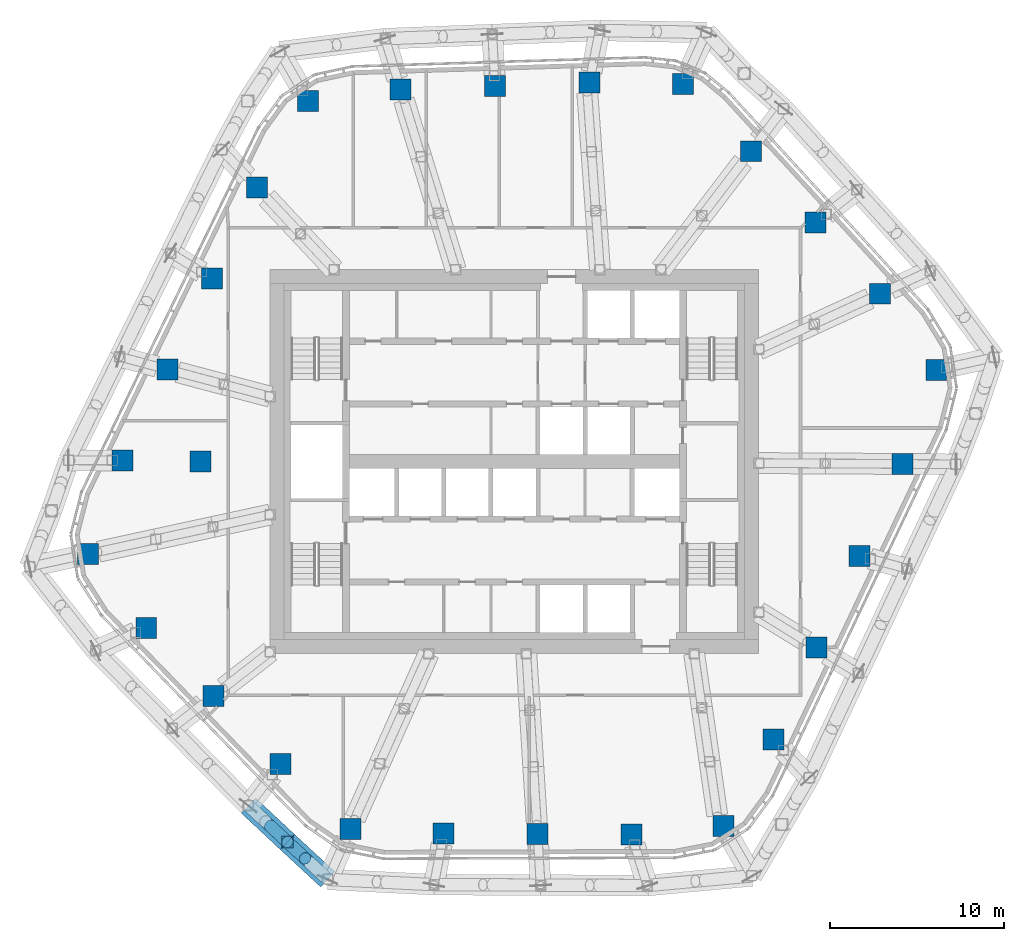
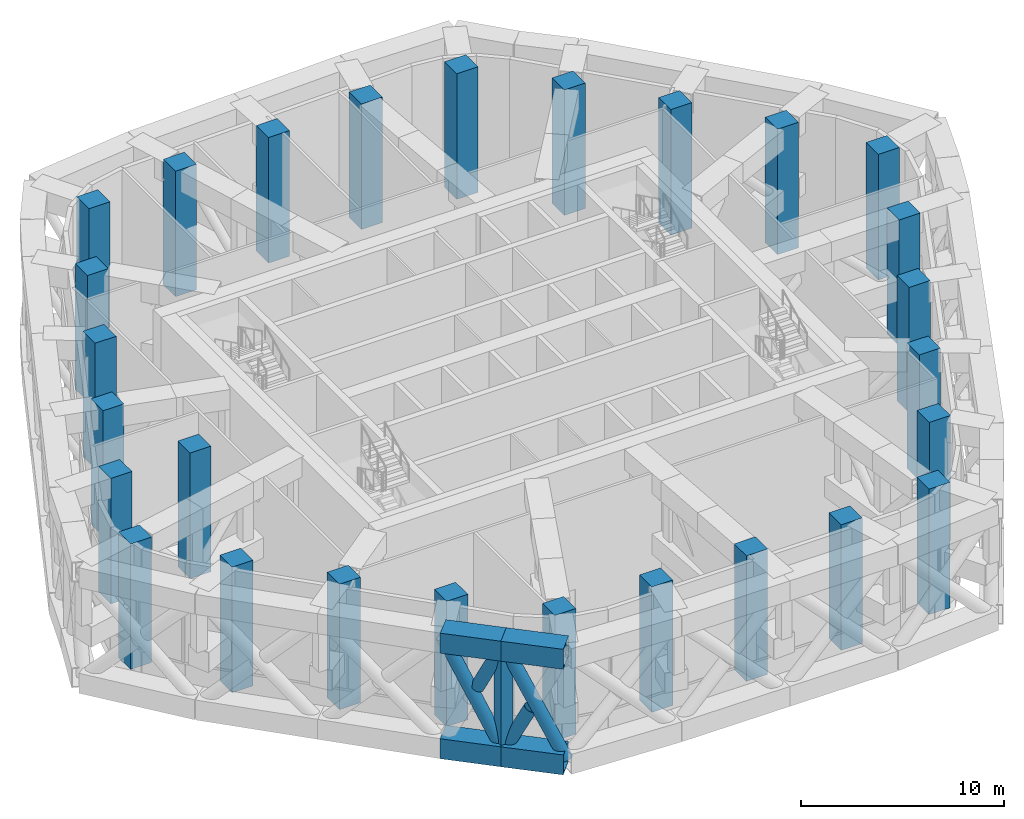
# One storey, part 1 of 21: 27 columns, 9 members.
"""IFC4 building model written with IfcOpenShell, lengths in metres."""

from ifc_helpers import new_model, si_unit, direction, frame, origin, origin_2d, place, context, subcontext, project, spatial, rectangle, hollow_rectangle, hollow_circle, extrude, material, material_profile, profile_set, type_object, element, save


model = new_model("IFC4")

# Units and contexts
model_context = context("Model", 3, precision=1e-05, world=origin(), true_north=direction((0.0, 1.0)))
body_context = subcontext(model_context, "Body", "Model", "MODEL_VIEW")
ifc_project = project(units=[si_unit("LENGTHUNIT", "METRE"), si_unit("AREAUNIT", "SQUARE_METRE"), si_unit("VOLUMEUNIT", "CUBIC_METRE"), si_unit("PLANEANGLEUNIT", "RADIAN"), si_unit("MASSUNIT", "GRAM", prefix="KILO")], contexts=[model_context])

# Site, building, storey
site_placement = place(None, origin())
site = spatial("IfcSite", under=ifc_project, at=site_placement, CompositionType="ELEMENT")
building_placement = place(site_placement, origin())
building = spatial("IfcBuilding", under=site, at=building_placement, Name="Dongbaek Canopy Tower", CompositionType="ELEMENT")
storey_placement = place(building_placement, frame((0.0, 0.0, 220.60009765625)))
storey = spatial("IfcBuildingStorey", under=building, at=storey_placement, Name="L46", CompositionType="ELEMENT", Elevation=220.60009765625)

# Columns
ifc_material_1 = material(Name="Concrete C70", Category="concrete")
ifc_material_profile_1 = material_profile(ifc_material_1, rectangle(XDim=1.199951171875, YDim=1.199951171875, at=origin_2d()), Name="RC COLUMN 1200x1200 C70")
ifc_profile_set_1 = profile_set([ifc_material_profile_1], Name="Concrete C70")
column_type = type_object("IfcColumnType", Name="RC COLUMN 1200x1200 C70", PredefinedType="COLUMN", material=ifc_profile_set_1)
for number, where, z_axis, x_axis, name in (
    (1, (11.971923828125, -20.885009765625, 0.0), (0.0, 0.0, 1.0), (1.0, 0.0, 0.0), "COL:CZ3-01:L46"),
    (2, (6.697998046875, -21.3720703125, 0.0), (0.0, 0.0, 1.0), (1.0, 0.0, 0.0), "COL:CZ3-02:L46"),
    (3, (1.321044921875, -21.347900390625, 0.0), (0.0, 0.0, 1.0), (1.0, 0.0, 0.0), "COL:CZ3-03:L46"),
    (4, (-4.054931640625, -21.323974609375, 0.0), (0.0, 0.0, 1.0), (1.0, 0.0, 0.0), "COL:CZ3-04:L46"),
    (5, (-9.407958984375, -21.06103515625, 0.0), (0.0, 0.0, 1.0), (1.0, 0.0, 0.0), "COL:CZ3-05:L46"),
    (6, (-13.409912109375, -17.339111328125, 0.0), (0.0, 0.0, 1.0), (1.0, 0.0, 0.0), "COL:CZ3-06:L46"),
    (7, (-17.258056640625, -13.431884765625, 0.0), (0.0, 0.0, 1.0), (1.0, 0.0, 0.0), "COL:CZ3-07:L46"),
    (8, (-21.10595703125, -9.52490234375, 0.0), (0.0, 0.0, 1.0), (1.0, 0.0, 0.0), "COL:CZ3-08:L46"),
    (9, (-24.43505859375, -5.2939453125, 0.0), (0.0, 0.0, 1.0), (1.0, 0.0, 0.0), "COL:CZ3-09:L46"),
    (10, (-22.4619140625, 0.06689453125, 0.0), (0.0, 0.0, 1.0), (1.0, 0.0, 0.0), "COL:CZ3-10:L46"),
    (11, (-19.89599609375, 5.287109375, 0.0), (0.0, 0.0, 1.0), (1.0, 0.0, 0.0), "COL:CZ3-11:L46"),
    (12, (-17.327880859375, 10.5048828125, 0.0), (0.0, 0.0, 1.0), (1.0, 0.0, 0.0), "COL:CZ3-12:L46"),
    (13, (-14.761962890625, 15.72412109375, 0.0), (0.0, 0.0, 1.0), (1.0, 0.0, 0.0), "COL:CZ3-13:L46"),
    (14, (-11.822998046875, 20.660888671875, 0.0), (0.0, 0.0, 1.0), (1.0, 0.0, 0.0), "COL:CZ3-14:L46"),
    (15, (-6.52197265625, 21.322998046875, 0.0), (0.0, 0.0, 1.0), (1.0, 0.0, 0.0), "COL:CZ3-15:L46"),
    (16, (-1.113037109375, 21.530029296875, 0.0), (0.0, 0.0, 1.0), (1.0, 0.0, 0.0), "COL:CZ3-16:L46"),
    (17, (4.294921875, 21.736083984375, 0.0), (0.0, 0.0, 1.0), (1.0, 0.0, 0.0), "COL:CZ3-17:L46"),
    (18, (9.666015625, 21.635009765625, 0.0), (0.0, 0.0, 1.0), (1.0, 0.0, 0.0), "COL:CZ3-18:L46"),
    (19, (13.56005859375, 17.7919921875, 0.0), (0.0, 0.0, 1.0), (1.0, 0.0, 0.0), "COL:CZ3-19:L46"),
    (20, (17.260986328125, 13.7060546875, 0.0), (0.0, 0.0, 1.0), (1.0, 0.0, 0.0), "COL:CZ3-20:L46"),
    (21, (20.9599609375, 9.62109375, 0.0), (0.0, 0.0, 1.0), (1.0, 0.0, 0.0), "COL:CZ3-21:L46"),
    (22, (24.179931640625, 5.257080078125, 0.0), (0.0, 0.0, 1.0), (1.0, 0.0, 0.0), "COL:CZ3-22:L46"),
    (23, (22.25390625, -0.134033203125, 0.0), (0.0, 0.0, 1.0), (1.0, 0.0, 0.0), "COL:CZ3-23:L46"),
    (24, (19.7880859375, -5.39892578125, 0.0), (0.0, 0.0, 1.0), (1.0, 0.0, 0.0), "COL:CZ3-24:L46"),
    (25, (17.322021484375, -10.666015625, 0.0), (0.0, 0.0, 1.0), (1.0, 0.0, 0.0), "COL:CZ3-25:L46"),
    (26, (14.85498046875, -15.931884765625, 0.0), (0.0, 0.0, 1.0), (1.0, 0.0, 0.0), "COL:CZ3-26:L46"),
    (27, (-18.0, 0.0, 0.0), (0.0, 0.0, 1.0), (1.0, 0.0, 0.0), "COL:CIZ3-01:L46"),
):
    element("IfcColumn", number, at=place(storey_placement, frame(where, z_axis=z_axis, x_axis=x_axis)), inside=storey, type_object=column_type, Name=name, PredefinedType="COLUMN", context=body_context, shape_type="SweptSolid", body=[
        extrude(rectangle(XDim=1.199951171875, YDim=1.199951171875, at=origin_2d()), origin(), (0.0, 0.0, 1.0), 7.5498046875),
    ])

# Members
ifc_material_2 = material(Name="Steel S355", Category="steel")
ifc_material_profile_2 = material_profile(ifc_material_2, hollow_circle(Radius=0.35546875, WallThickness=0.02001953125, at=origin_2d()), Name="BELT BRACE CHS 711.0x20.0 Steel S355")
ifc_profile_set_2 = profile_set([ifc_material_profile_2], Name="Steel S355")
member_type_1 = type_object("IfcMemberType", Name="BELT BRACE CHS 711.0x20.0 Steel S355", PredefinedType="BRACE", material=ifc_profile_set_2)
member_1_placement = place(storey_placement, frame((-10.69677734375, -23.946044921875, 0.599853515625), z_axis=(-0.326535304585, 0.302052904336, 0.895621983787), x_axis=(-0.679051367903, -0.734090757161, 0.0)))
element("IfcMember", 28, at=member_1_placement, inside=storey, type_object=member_type_1, Name="BELT:L46:4:D0:0", PredefinedType="BRACE", context=body_context, shape_type="SweptSolid", body=[
    extrude(hollow_circle(Radius=0.35546875, WallThickness=0.02001953125, at=origin_2d()), origin(), (0.0, 0.0, 1.0), 7.090087890625),
])
member_2_placement = place(storey_placement, frame((-13.011962890625, -21.804443359375, 0.599853515625), z_axis=(0.326558192606, -0.302056480205, 0.895612432701), x_axis=(0.679030051082, 0.734110475152, 0.0)))
element("IfcMember", 29, at=member_2_placement, inside=storey, type_object=member_type_1, Name="BELT:L46:4:D0:1", PredefinedType="BRACE", context=body_context, shape_type="SweptSolid", body=[
    extrude(hollow_circle(Radius=0.35546875, WallThickness=0.02001953125, at=origin_2d()), origin(), (0.0, 0.0, 1.0), 3.098876953125),
])
member_3_placement = place(storey_placement, frame((-13.011962890625, -21.804443359375, 0.599853515625), z_axis=(-0.317048638055, 0.296544727881, 0.900855918265), x_axis=(-0.683096736226, -0.730327905093, 0.0)))
element("IfcMember", 30, at=member_3_placement, inside=storey, type_object=member_type_1, Name="BELT:L46:4:D1:0", PredefinedType="BRACE", context=body_context, shape_type="SweptSolid", body=[
    extrude(hollow_circle(Radius=0.35546875, WallThickness=0.02001953125, at=origin_2d()), origin(), (0.0, 0.0, 1.0), 7.049072265625),
])
member_4_placement = place(storey_placement, frame((-13.011962890625, -21.804443359375, 6.949951171875), z_axis=(-0.317063098892, 0.296545847948, -0.900850460057), x_axis=(-0.683081494383, -0.730342160929, 0.0)))
element("IfcMember", 31, at=member_4_placement, inside=storey, type_object=member_type_1, Name="BELT:L46:4:D1:2", PredefinedType="BRACE", context=body_context, shape_type="SweptSolid", body=[
    extrude(hollow_circle(Radius=0.35546875, WallThickness=0.02001953125, at=origin_2d()), origin(), (0.0, 0.0, 1.0), 3.070068359375),
])
ifc_material_3 = material(Name="Steel S355", Category="steel")
ifc_material_profile_3 = material_profile(ifc_material_3, hollow_rectangle(XDim=1.199951171875, YDim=1.199951171875, WallThickness=0.06005859375, at=origin_2d()), Name="BELT CHORD BOX 1200x1200x60 Steel S355")
ifc_profile_set_3 = profile_set([ifc_material_profile_3], Name="Steel S355")
member_type_2 = type_object("IfcMemberType", Name="BELT CHORD BOX 1200x1200x60 Steel S355", PredefinedType="CHORD", material=ifc_profile_set_3)
for number, where, z_axis, x_axis, name in (
    (32, (-10.69677734375, -23.946044921875, 0.599853515625), (-0.734090757161, 0.679051367903, 0.0), (-0.679051367903, -0.734090757161, 0.0), "BELT:L46:4:CB0"),
    (33, (-10.69677734375, -23.946044921875, 6.949951171875), (-0.734090757161, 0.679051367903, 0.0), (-0.679051367903, -0.734090757161, 0.0), "BELT:L46:4:CT0"),
):
    element("IfcMember", number, at=place(storey_placement, frame(where, z_axis=z_axis, x_axis=x_axis)), inside=storey, type_object=member_type_2, Name=name, PredefinedType="CHORD", context=body_context, shape_type="SweptSolid", body=[
        extrude(hollow_rectangle(XDim=1.199951171875, YDim=1.199951171875, WallThickness=0.06005859375, at=origin_2d()), origin(), (0.0, 0.0, 1.0), 3.15380859375),
    ])
for number, where, z_axis, x_axis, name in (
    (34, (-13.011962890625, -21.804443359375, 0.599853515625), (-0.730327905093, 0.683096736226, 0.0), (-0.683096736226, -0.730327905093, 0.0), "BELT:L46:4:CB1"),
    (35, (-13.011962890625, -21.804443359375, 6.949951171875), (-0.730327905093, 0.683096736226, 0.0), (-0.683096736226, -0.730327905093, 0.0), "BELT:L46:4:CT1"),
):
    element("IfcMember", number, at=place(storey_placement, frame(where, z_axis=z_axis, x_axis=x_axis)), inside=storey, type_object=member_type_2, Name=name, PredefinedType="CHORD", context=body_context, shape_type="SweptSolid", body=[
        extrude(hollow_rectangle(XDim=1.199951171875, YDim=1.199951171875, WallThickness=0.06005859375, at=origin_2d()), origin(), (0.0, 0.0, 1.0), 3.06005859375),
    ])
ifc_material_4 = material(Name="Steel S355", Category="steel")
ifc_material_profile_4 = material_profile(ifc_material_4, hollow_rectangle(XDim=0.699951171875, YDim=0.699951171875, WallThickness=0.035888671875, at=origin_2d()), Name="BELT POST BOX 700x700x36 Steel S355")
ifc_profile_set_4 = profile_set([ifc_material_profile_4], Name="Steel S355")
member_type_3 = type_object("IfcMemberType", Name="BELT POST BOX 700x700x36 Steel S355", PredefinedType="POST", material=ifc_profile_set_4)
member_5_placement = place(storey_placement, frame((-13.011962890625, -21.804443359375, 1.199951171875), z_axis=(0.0, 0.0, 1.0), x_axis=(1.0, 0.0, 0.0)))
element("IfcMember", 36, at=member_5_placement, inside=storey, type_object=member_type_3, Name="BELT:L46:4:P1", PredefinedType="POST", context=body_context, shape_type="SweptSolid", body=[
    extrude(hollow_rectangle(XDim=0.699951171875, YDim=0.699951171875, WallThickness=0.035888671875, at=origin_2d()), origin(), (0.0, 0.0, 1.0), 5.14990234375),
])

save(model, "model.ifc")
